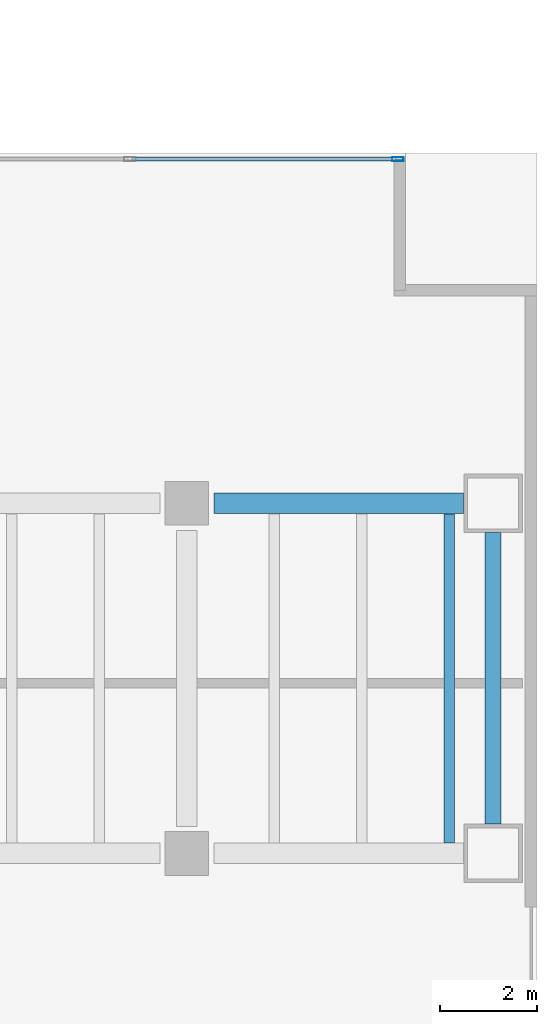
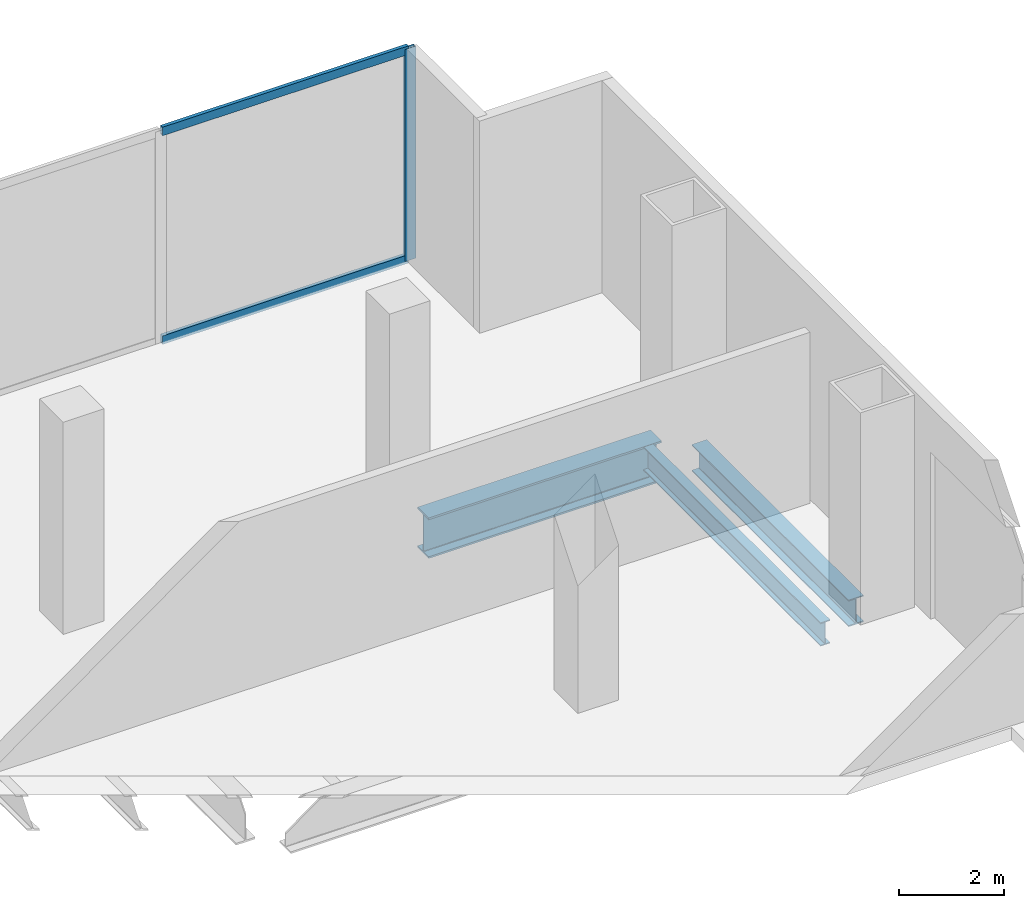
# One storey, part 7 of 17: 3 beams, 3 members, 1 element without a shape of its own.
"""IFC4 building model written with IfcOpenShell, lengths in metres."""

from ifc_helpers import new_model, si_unit, direction, frame, origin, origin_2d, place, context, subcontext, project, spatial, hollow_rectangle, i_section, extrude, material, material_profile, profile_set, type_object, element, aggregate, save


model = new_model("IFC4")

# Units and contexts
model_context = context("Model", 3, precision=1e-05, world=origin(), true_north=direction((0.0, 1.0)))
body_context = subcontext(model_context, "Body", "Model", "MODEL_VIEW")
ifc_project = project(units=[si_unit("LENGTHUNIT", "METRE"), si_unit("AREAUNIT", "SQUARE_METRE"), si_unit("VOLUMEUNIT", "CUBIC_METRE"), si_unit("PLANEANGLEUNIT", "RADIAN"), si_unit("MASSUNIT", "GRAM", prefix="KILO")], contexts=[model_context])

# Site, building, storey
site_placement = place(None, origin())
site = spatial("IfcSite", under=ifc_project, at=site_placement, CompositionType="ELEMENT")
building_placement = place(site_placement, origin())
building = spatial("IfcBuilding", under=site, at=building_placement, Name="Cobrela Telecom Tower", CompositionType="ELEMENT")
storey_placement = place(building_placement, origin())
storey = spatial("IfcBuildingStorey", under=building, at=storey_placement, Name="L00", CompositionType="ELEMENT", Elevation=0.0)

# Beams
ifc_material_1 = material(Name="Steel ASTM A992 Grade 50", Category="steel")
ifc_material_profile_1 = material_profile(ifc_material_1, i_section(OverallWidth=0.424072265625, OverallDepth=0.947021484375, WebThickness=0.02392578125, FlangeThickness=0.042724609375, FilletRadius=0.02392578125, at=origin_2d()), Name="W36X302")
ifc_profile_set_1 = profile_set([ifc_material_profile_1], Name="Steel ASTM A992 Grade 50")
beam_type_1 = type_object("IfcBeamType", Name="BM-GIRD-01", PredefinedType="USERDEFINED", material=ifc_profile_set_1)
beam_1_placement = place(storey_placement, frame((79.7548828125, 21.60009765625, -0.7734375), z_axis=(1.0, 0.0, 0.0), x_axis=(0.0, 1.0, 0.0)))
element("IfcBeam", 1, at=beam_1_placement, inside=storey, type_object=beam_type_1, Name="L00 Primary Girder X31", ObjectType="GIRDER", PredefinedType="USERDEFINED", context=body_context, shape_type="SweptSolid", body=[
    extrude(i_section(OverallWidth=0.424072265625, OverallDepth=0.947021484375, WebThickness=0.02392578125, FlangeThickness=0.042724609375, FilletRadius=0.02392578125, at=origin_2d()), origin(), (0.0, 0.0, 1.0), 5.14013671875),
])
ifc_material_profile_2 = material_profile(ifc_material_1, i_section(OverallWidth=0.212890625, OverallDepth=0.549072265625, WebThickness=0.0146484375, FlangeThickness=0.023681640625, FilletRadius=0.013916015625, at=origin_2d()), Name="W21X93")
ifc_profile_set_2 = profile_set([ifc_material_profile_2], Name="Steel ASTM A992 Grade 50")
beam_type_2 = type_object("IfcBeamType", Name="BM-JOIST-01", PredefinedType="JOIST", material=ifc_profile_set_2)
beam_2_placement = place(storey_placement, frame((84.60009765625, 14.616943359375, -0.574462890625), z_axis=(0.0, 1.0, 0.0), x_axis=(-1.0, 0.0, 0.0)))
element("IfcBeam", 2, at=beam_2_placement, inside=storey, type_object=beam_type_2, Name="L00 Secondary Composite Floor Beam J103", PredefinedType="JOIST", context=body_context, shape_type="SweptSolid", body=[
    extrude(i_section(OverallWidth=0.212890625, OverallDepth=0.549072265625, WebThickness=0.0146484375, FlangeThickness=0.023681640625, FilletRadius=0.013916015625, at=origin_2d()), origin(), (0.0, 0.0, 1.0), 6.76611328125),
])
ifc_material_profile_3 = material_profile(ifc_material_1, i_section(OverallWidth=0.327880859375, OverallDepth=0.6220703125, WebThickness=0.015380859375, FlangeThickness=0.0244140625, FilletRadius=0.014892578125, at=origin_2d()), Name="W24X131")
ifc_profile_set_3 = profile_set([ifc_material_profile_3], Name="Steel ASTM A992 Grade 50")
beam_type_3 = type_object("IfcBeamType", Name="BM-SPAND-01", PredefinedType="SPANDREL", material=ifc_profile_set_3)
beam_3_placement = place(storey_placement, frame((85.5, 15.0048828125, -0.611083984375), z_axis=(0.0, 1.0, 0.0), x_axis=(-1.0, 0.0, 0.0)))
element("IfcBeam", 3, at=beam_3_placement, inside=storey, type_object=beam_type_3, Name="L00 Perimeter Spandrel Y82", PredefinedType="SPANDREL", context=body_context, shape_type="SweptSolid", body=[
    extrude(i_section(OverallWidth=0.327880859375, OverallDepth=0.6220703125, WebThickness=0.015380859375, FlangeThickness=0.0244140625, FilletRadius=0.014892578125, at=origin_2d()), origin(), (0.0, 0.0, 1.0), 5.990234375),
])

# Curtain wall, members
ifc_material_2 = material(Name="Anodized Bronze Aluminium 6063-T6", Category="aluminium")
curtain_wall_type = type_object("IfcCurtainWallType", Name="CW-SYS-CONC", PredefinedType="USERDEFINED", material=ifc_material_2)
curtain_wall_placement = place(storey_placement, origin())
curtain_wall = element("IfcCurtainWall", 4, at=curtain_wall_placement, inside=storey, type_object=curtain_wall_type, Name="L00 Concourse Curtain Wall 11", ObjectType="UNITISED CURTAIN WALL", PredefinedType="USERDEFINED")
ifc_material_profile_4 = material_profile(ifc_material_2, hollow_rectangle(XDim=0.080078125, YDim=0.239990234375, WallThickness=0.0048828125, at=origin_2d()), Name="ALU 80x240x5")
ifc_profile_set_4 = profile_set([ifc_material_profile_4], Name="Anodized Bronze Aluminium 6063-T6")
member_type_1 = type_object("IfcMemberType", Name="CW-SYS-CONC-MUL", PredefinedType="MULLION", material=ifc_profile_set_4)
member_1_placement = place(storey_placement, frame((83.5400390625, 28.679931640625, 0.0), z_axis=(0.0, 0.0, 1.0), x_axis=(0.0, 1.0, 0.0)))
member_1 = element("IfcMember", 5, at=member_1_placement, type_object=member_type_1, Name="CW-CONC mullion 7", PredefinedType="MULLION", context=body_context, shape_type="SweptSolid", body=[
    extrude(hollow_rectangle(XDim=0.080078125, YDim=0.239990234375, WallThickness=0.0048828125, at=origin_2d()), origin(), (0.0, 0.0, 1.0), 4.949951171875),
])
ifc_material_profile_5 = material_profile(ifc_material_2, hollow_rectangle(XDim=0.080078125, YDim=0.199951171875, WallThickness=0.00390625, at=origin_2d()), Name="ALU 80x200x4")
ifc_profile_set_5 = profile_set([ifc_material_profile_5], Name="Anodized Bronze Aluminium 6063-T6")
member_type_2 = type_object("IfcMemberType", Name="CW-SYS-CONC-TRN", PredefinedType="USERDEFINED", material=ifc_profile_set_5)
member_2_placement = place(storey_placement, frame((78.070068359375, 28.679931640625, 0.0400390625), z_axis=(1.0, 0.0, 0.0), x_axis=(0.0, 1.0, 0.0)))
member_2 = element("IfcMember", 6, at=member_2_placement, type_object=member_type_2, Name="CW-CONC transom 6.1", ObjectType="TRANSOM", PredefinedType="USERDEFINED", context=body_context, shape_type="SweptSolid", body=[
    extrude(hollow_rectangle(XDim=0.080078125, YDim=0.199951171875, WallThickness=0.00390625, at=origin_2d()), origin(), (0.0, 0.0, 1.0), 5.429931640625),
])
member_3_placement = place(storey_placement, frame((78.070068359375, 28.679931640625, 4.909912109375), z_axis=(1.0, 0.0, 0.0), x_axis=(0.0, 1.0, 0.0)))
member_3 = element("IfcMember", 7, at=member_3_placement, type_object=member_type_2, Name="CW-CONC transom 6.2", ObjectType="TRANSOM", PredefinedType="USERDEFINED", context=body_context, shape_type="SweptSolid", body=[
    extrude(hollow_rectangle(XDim=0.080078125, YDim=0.199951171875, WallThickness=0.00390625, at=origin_2d()), origin(), (0.0, 0.0, 1.0), 5.429931640625),
])
aggregate(curtain_wall, [member_1, member_2, member_3])

save(model, "model.ifc")
